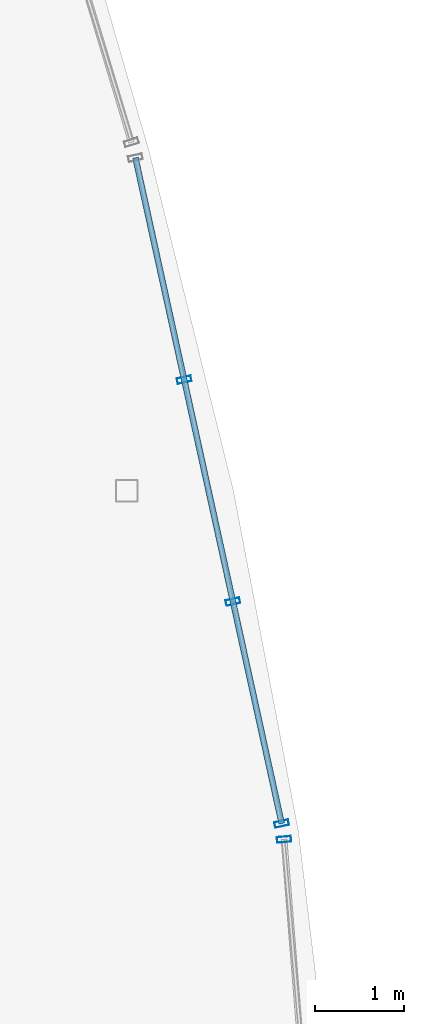
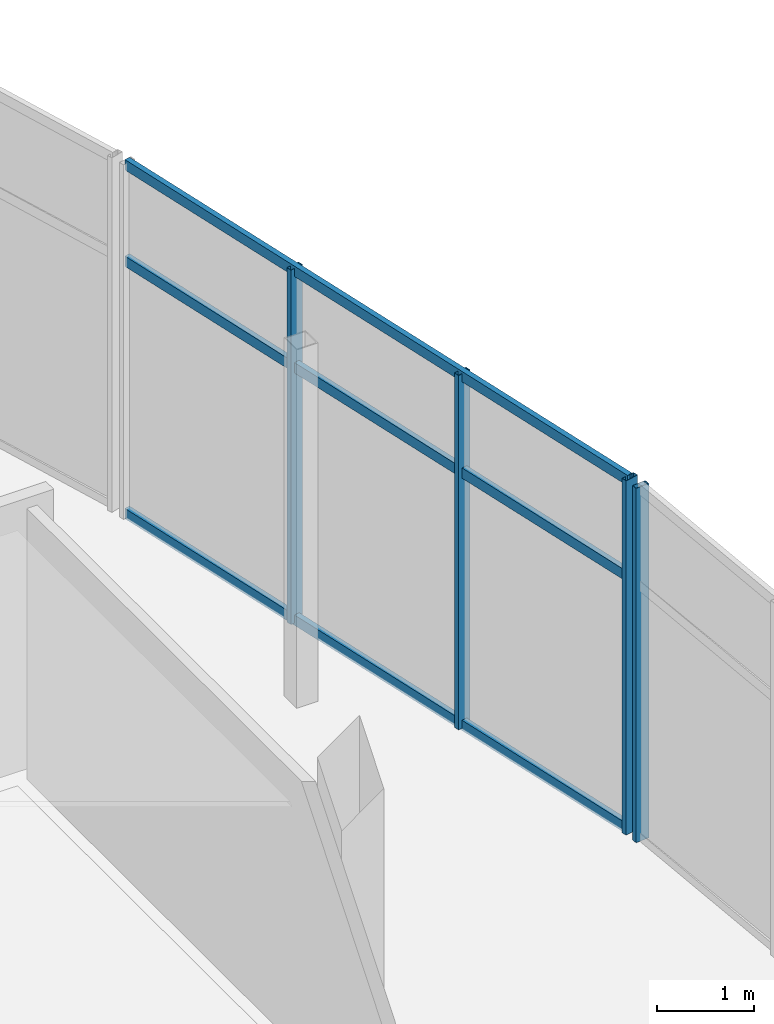
# One storey, part 75 of 114: 7 members, 2 elements without a shape of their own.
"""IFC4 building model written with IfcOpenShell, lengths in metres."""

from ifc_helpers import new_model, si_unit, direction, frame, origin, origin_2d, place, context, subcontext, project, spatial, hollow_rectangle, extrude, material, layer, layer_set, material_profile, profile_set, type_object, element, aggregate, save


model = new_model("IFC4")

# Units and contexts
model_context = context("Model", 3, precision=1e-05, world=origin(), true_north=direction((0.0, 1.0)))
body_context = subcontext(model_context, "Body", "Model", "MODEL_VIEW")
ifc_project = project(units=[si_unit("LENGTHUNIT", "METRE"), si_unit("AREAUNIT", "SQUARE_METRE"), si_unit("VOLUMEUNIT", "CUBIC_METRE"), si_unit("PLANEANGLEUNIT", "RADIAN"), si_unit("MASSUNIT", "GRAM", prefix="KILO")], contexts=[model_context])

# Site, building, storey
site_placement = place(None, origin())
site = spatial("IfcSite", under=ifc_project, at=site_placement, CompositionType="ELEMENT")
building_placement = place(site_placement, origin())
building = spatial("IfcBuilding", under=site, at=building_placement, Name="Chalmorin Arch Market", CompositionType="ELEMENT")
storey_placement = place(building_placement, frame((0.0, 0.0, 9.60009765625)))
storey = spatial("IfcBuildingStorey", under=building, at=storey_placement, Name="L02", CompositionType="ELEMENT", Elevation=9.60009765625)

# Curtain wall, member
ifc_material = material(Name="Aluminium 6063-T6", Category="aluminium")
ifc_layer_1 = layer(ifc_material, 0.159912109375)
ifc_layer_set_1 = layer_set([ifc_layer_1], Name="Aluminium 6063-T6")
curtain_wall_type_1 = type_object("IfcCurtainWallType", Name="CulinaryStudioCurtainWall-CW3-7510x4450", PredefinedType="NOTDEFINED", material=ifc_layer_set_1)
curtain_wall_1_placement = place(storey_placement, origin())
curtain_wall_1 = element("IfcCurtainWall", 1, at=curtain_wall_1_placement, inside=storey, type_object=curtain_wall_type_1, Name="CW-03-186", PredefinedType="NOTDEFINED")
ifc_material_profile_1 = material_profile(ifc_material, hollow_rectangle(XDim=0.06494140625, YDim=0.159912109375, WallThickness=0.00390625, at=origin_2d()), Name="ALU65X160X4")
ifc_profile_set_1 = profile_set([ifc_material_profile_1], Name="Aluminium 6063-T6")
member_type_1 = type_object("IfcMemberType", Name="CurtainWallMullion-65x160", PredefinedType="MULLION", material=ifc_profile_set_1)
member_1_placement = place(storey_placement, frame((119.671142578125, 102.577392578125, 0.0), z_axis=(0.0, 0.0, 1.0), x_axis=(-0.087155742748, 0.996194698092, 0.0)))
member_1 = element("IfcMember", 2, at=member_1_placement, type_object=member_type_1, Name="ML-186-04", PredefinedType="MULLION", context=body_context, shape_type="SweptSolid", body=[
    extrude(hollow_rectangle(XDim=0.06494140625, YDim=0.159912109375, WallThickness=0.00390625, at=origin_2d()), origin(), (0.0, 0.0, 1.0), 4.449951171875),
])
aggregate(curtain_wall_1, [member_1])

# Curtain wall, members
ifc_layer_2 = layer(ifc_material, 0.159912109375)
ifc_layer_set_2 = layer_set([ifc_layer_2], Name="Aluminium 6063-T6")
curtain_wall_type_2 = type_object("IfcCurtainWallType", Name="CulinaryStudioCurtainWall-CW3-7670x4450", PredefinedType="NOTDEFINED", material=ifc_layer_set_2)
curtain_wall_2_placement = place(storey_placement, origin())
curtain_wall_2 = element("IfcCurtainWall", 3, at=curtain_wall_2_placement, inside=storey, type_object=curtain_wall_type_2, Name="CW-03-188", PredefinedType="NOTDEFINED")
member_2_placement = place(storey_placement, frame((119.644775390625, 102.7548828125, 0.0), z_axis=(0.0, 0.0, 1.0), x_axis=(-0.207911690818, 0.978147600734, 0.0)))
member_2 = element("IfcMember", 4, at=member_2_placement, type_object=member_type_1, Name="ML-188-01", PredefinedType="MULLION", context=body_context, shape_type="SweptSolid", body=[
    extrude(hollow_rectangle(XDim=0.06494140625, YDim=0.159912109375, WallThickness=0.00390625, at=origin_2d()), origin(), (0.0, 0.0, 1.0), 4.449951171875),
])
member_3_placement = place(storey_placement, frame((119.09619140625, 105.251708984375, 0.0), z_axis=(0.0, 0.0, 1.0), x_axis=(-0.207911690818, 0.978147600734, 0.0)))
member_3 = element("IfcMember", 5, at=member_3_placement, type_object=member_type_1, Name="ML-188-02", PredefinedType="MULLION", context=body_context, shape_type="SweptSolid", body=[
    extrude(hollow_rectangle(XDim=0.06494140625, YDim=0.159912109375, WallThickness=0.00390625, at=origin_2d()), origin(), (0.0, 0.0, 1.0), 4.449951171875),
])
member_4_placement = place(storey_placement, frame((118.5478515625, 107.748291015625, 0.0), z_axis=(0.0, 0.0, 1.0), x_axis=(-0.207911690818, 0.978147600734, 0.0)))
member_4 = element("IfcMember", 6, at=member_4_placement, type_object=member_type_1, Name="ML-188-03", PredefinedType="MULLION", context=body_context, shape_type="SweptSolid", body=[
    extrude(hollow_rectangle(XDim=0.06494140625, YDim=0.159912109375, WallThickness=0.00390625, at=origin_2d()), origin(), (0.0, 0.0, 1.0), 4.449951171875),
])
ifc_material_profile_2 = material_profile(ifc_material, hollow_rectangle(XDim=0.06494140625, YDim=0.1298828125, WallThickness=0.00390625, at=origin_2d()), Name="ALU65X130X4")
ifc_profile_set_2 = profile_set([ifc_material_profile_2], Name="Aluminium 6063-T6")
member_type_2 = type_object("IfcMemberType", Name="CurtainWallTransom-65x130", PredefinedType="USERDEFINED", material=ifc_profile_set_2)
member_5_placement = place(storey_placement, frame((119.644775390625, 102.7548828125, 0.034912109375), z_axis=(-0.214570262836, 0.976708555459, 0.0), x_axis=(-0.976708555459, -0.214570262836, 0.0)))
member_5 = element("IfcMember", 7, at=member_5_placement, type_object=member_type_2, Name="TR-188-01", ObjectType="TRANSOM", PredefinedType="USERDEFINED", context=body_context, shape_type="SweptSolid", body=[
    extrude(hollow_rectangle(XDim=0.06494140625, YDim=0.1298828125, WallThickness=0.00390625, at=origin_2d()), origin(), (0.0, 0.0, 1.0), 7.6689453125),
])
member_6_placement = place(storey_placement, frame((119.644775390625, 102.7548828125, 3.203857421875), z_axis=(-0.214570262836, 0.976708555459, 0.0), x_axis=(-0.976708555459, -0.214570262836, 0.0)))
member_6 = element("IfcMember", 8, at=member_6_placement, type_object=member_type_2, Name="TR-188-02", ObjectType="TRANSOM", PredefinedType="USERDEFINED", context=body_context, shape_type="SweptSolid", body=[
    extrude(hollow_rectangle(XDim=0.06494140625, YDim=0.1298828125, WallThickness=0.00390625, at=origin_2d()), origin(), (0.0, 0.0, 1.0), 7.6689453125),
])
member_7_placement = place(storey_placement, frame((119.644775390625, 102.7548828125, 4.414794921875), z_axis=(-0.214570262836, 0.976708555459, 0.0), x_axis=(-0.976708555459, -0.214570262836, 0.0)))
member_7 = element("IfcMember", 9, at=member_7_placement, type_object=member_type_2, Name="TR-188-03", ObjectType="TRANSOM", PredefinedType="USERDEFINED", context=body_context, shape_type="SweptSolid", body=[
    extrude(hollow_rectangle(XDim=0.06494140625, YDim=0.1298828125, WallThickness=0.00390625, at=origin_2d()), origin(), (0.0, 0.0, 1.0), 7.6689453125),
])
aggregate(curtain_wall_2, [member_2, member_3, member_4, member_5, member_6, member_7])

save(model, "model.ifc")
